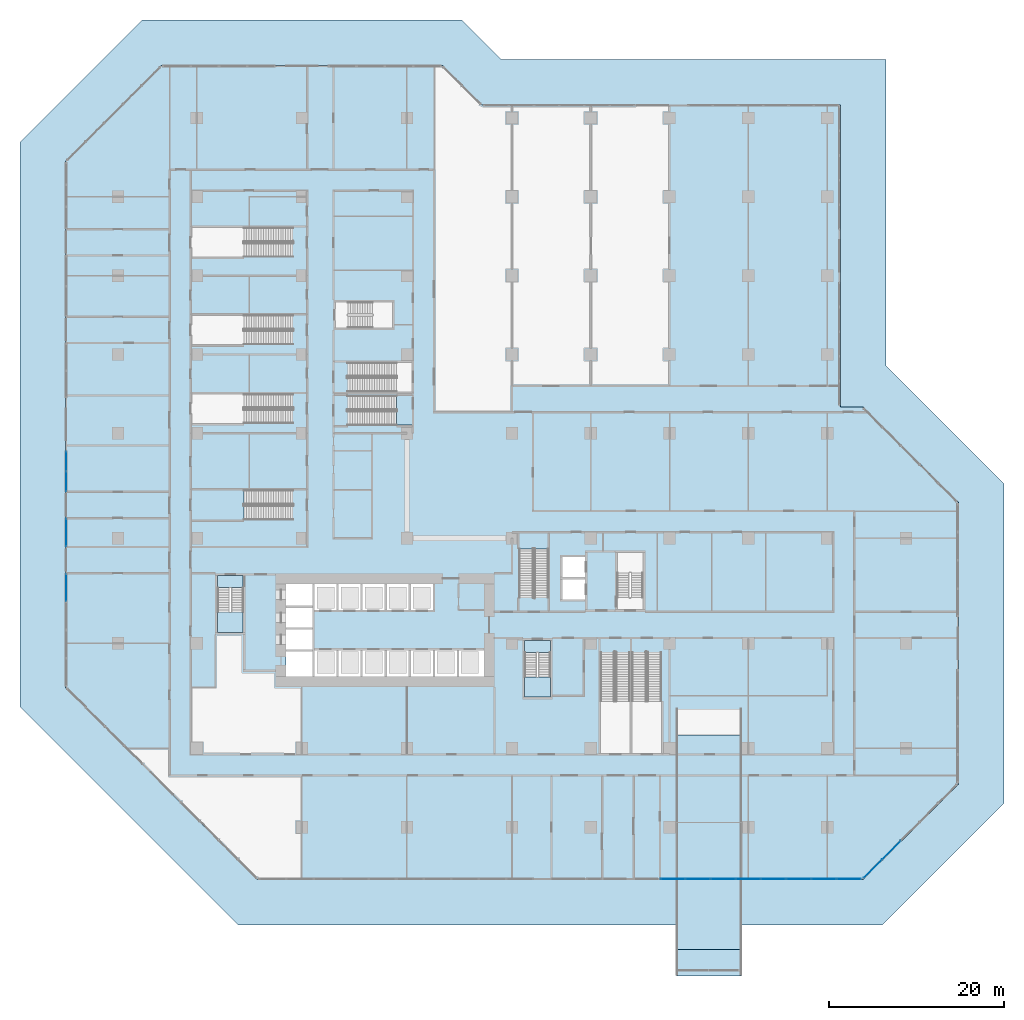
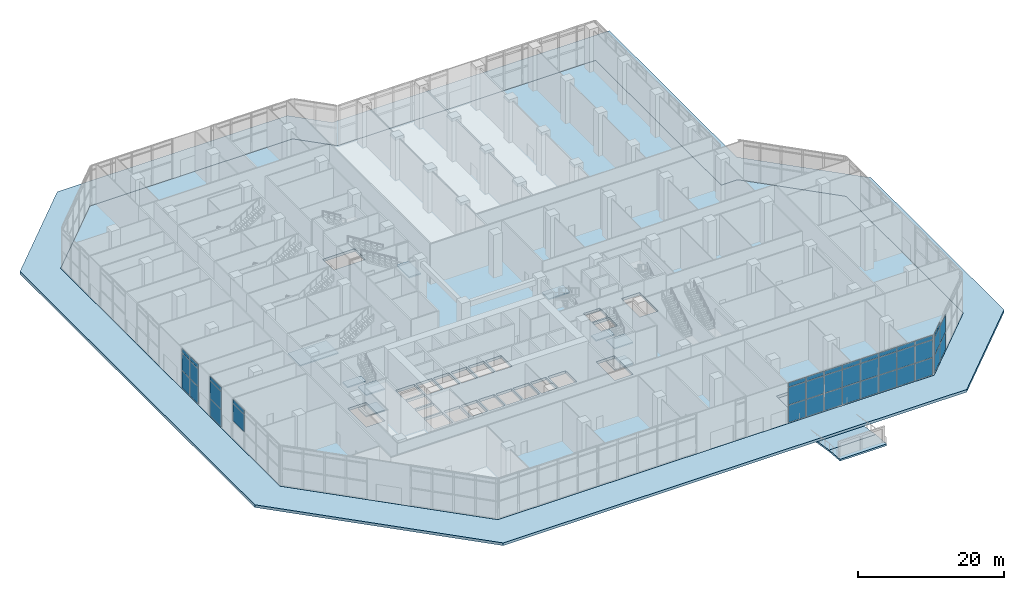
# One storey, part 13 of 34: 40 plates, 13 slabs, 10 elements without a shape of their own.
"""IFC4 building model written with IfcOpenShell, lengths in metres."""

import ifcopenshell
import ifcopenshell.guid

model = None  # the IFC model being written
_history = None  # IfcOwnerHistory: only IFC2X3 demands one
_inside = {}  # id of a spatial element -> (the spatial element, [elements in it])
_under = {}  # id of a project, library or spatial element -> (it, [spatial elements below it])
_declared = {}  # id of a project -> (the project, [libraries it declares])
_typed = {}  # id of a type object -> (the type object, [elements of that type])
_made_of = {}  # id of a material, layer set ... -> (it, [elements and type objects made of it])


def new_model(schema):
    """Start an empty IFC model of exactly this schema.

    Asked for "IFC4X3", IfcOpenShell would pick the latest addendum, in which some entities
    have other attributes; the version numbers below select the first issue.
    IFC2X3 requires an IfcOwnerHistory on every rooted entity: one is made here for all.
    """
    global model, _history
    if schema == "IFC4X3":
        model = ifcopenshell.file(schema_version=(4, 3, 0, 0))
    else:
        model = ifcopenshell.file(schema=schema)
    _inside.clear()
    _under.clear()
    _declared.clear()
    _typed.clear()
    _made_of.clear()
    _history = None
    if model.schema == "IFC2X3":
        org = make("IfcOrganization", Name="unknown")
        user = make(
            "IfcPersonAndOrganization",
            ThePerson=make("IfcPerson", FamilyName="unknown"),
            TheOrganization=org,
        )
        app = make(
            "IfcApplication",
            ApplicationDeveloper=org,
            Version="unknown",
            ApplicationFullName="unknown",
            ApplicationIdentifier="unknown",
        )
        _history = make(
            "IfcOwnerHistory",
            OwningUser=user,
            OwningApplication=app,
            ChangeAction="ADDED",
            CreationDate=0,
        )
    return model


def make(cls, **values):
    """One entity of the class cls with the attributes given. An attribute that is None is left unset."""
    return model.create_entity(
        cls, **{name: value for name, value in values.items() if value is not None}
    )


def rooted(cls, **values):
    """An entity with a GlobalId (a new one), such as an element, a storey or a relation."""
    return make(cls, GlobalId=ifcopenshell.guid.new(), OwnerHistory=_history, **values)


def si_unit(unit_type, name, prefix=None):
    """IfcSIUnit, for example si_unit("LENGTHUNIT", "METRE", prefix="MILLI")."""
    return make("IfcSIUnit", UnitType=unit_type, Prefix=prefix, Name=name)


def assignment(units):
    """IfcUnitAssignment: the units of a project."""
    return None if units is None else make("IfcUnitAssignment", Units=units)


def point(xyz):
    """IfcCartesianPoint."""
    return None if xyz is None else make("IfcCartesianPoint", Coordinates=xyz)


def direction(xyz):
    """IfcDirection."""
    return None if xyz is None else make("IfcDirection", DirectionRatios=xyz)


def frame(location, z_axis=None, x_axis=None):
    """IfcAxis2Placement3D, a coordinate frame: its origin and axes. An axis left out is left unset."""
    return make(
        "IfcAxis2Placement3D",
        Location=point(location),
        Axis=direction(z_axis),
        RefDirection=direction(x_axis),
    )


def frame_2d(location, x_axis=None):
    """IfcAxis2Placement2D, a coordinate frame in the plane: its origin and x axis."""
    return make(
        "IfcAxis2Placement2D", Location=point(location), RefDirection=direction(x_axis)
    )


def origin():
    """The frame at (0, 0, 0) with its axes left unset."""
    return frame((0.0, 0.0, 0.0))


def origin_2d():
    """The frame at (0, 0) in the plane with its x axis left unset."""
    return frame_2d((0.0, 0.0))


def place(relative_to, where):
    """IfcLocalPlacement: puts the frame where relative to a parent placement (None: the world)."""
    return make(
        "IfcLocalPlacement", PlacementRelTo=relative_to, RelativePlacement=where
    )


def context(
    kind, dimensions, precision=None, world=None, true_north=None, identifier=None
):
    """IfcGeometricRepresentationContext, for example the 3D "Model" context."""
    return make(
        "IfcGeometricRepresentationContext",
        ContextIdentifier=identifier,
        ContextType=kind,
        CoordinateSpaceDimension=dimensions,
        Precision=precision,
        WorldCoordinateSystem=world,
        TrueNorth=true_north,
    )


def subcontext(parent, identifier, kind, view, scale=None):
    """IfcGeometricRepresentationSubContext, for example "Body" below "Model"."""
    return make(
        "IfcGeometricRepresentationSubContext",
        ContextIdentifier=identifier,
        ContextType=kind,
        ParentContext=parent,
        TargetScale=scale,
        TargetView=view,
    )


def project(units=None, contexts=None):
    """IfcProject with its units and contexts."""
    return rooted(
        "IfcProject",
        Name="project",
        RepresentationContexts=contexts,
        UnitsInContext=assignment(units),
    )


def spatial(cls, under=None, at=None, **own):
    """A site, building, storey or space (cls), placed at a placement, below another one or the project."""
    s = rooted(cls, ObjectPlacement=at, **own)
    if under is not None:
        _under.setdefault(under.id(), (under, []))[1].append(s)
    return s


def polyline(points):
    """IfcPolyline through the points."""
    return make("IfcPolyline", Points=[point(p) for p in points])


def profile(cls, at=None, kind="AREA", **sizes):
    """A parametric profile (cls). Its sizes go by their IFC names, for example OverallWidth=200.0."""
    return make(cls, ProfileType=kind, Position=at, **sizes)


def rectangle(**sizes):
    """IfcRectangleProfileDef."""
    return profile("IfcRectangleProfileDef", **sizes)


def outline(outer, holes=None, kind="AREA"):
    """IfcArbitraryClosedProfileDef: a profile drawn as a closed curve; with holes, ...WithVoids."""
    if holes is None:
        return make("IfcArbitraryClosedProfileDef", ProfileType=kind, OuterCurve=outer)
    return make(
        "IfcArbitraryProfileDefWithVoids",
        ProfileType=kind,
        OuterCurve=outer,
        InnerCurves=holes,
    )


def extrude(swept, where, along, depth):
    """IfcExtrudedAreaSolid: the profile swept, set in the frame where, extruded along a direction by depth."""
    return make(
        "IfcExtrudedAreaSolid",
        SweptArea=swept,
        Position=where,
        ExtrudedDirection=direction(along),
        Depth=depth,
    )


def shape(context_of_items, identifier, shape_type, items):
    """IfcShapeRepresentation: the items that make up one representation, for example the "Body"."""
    return make(
        "IfcShapeRepresentation",
        ContextOfItems=context_of_items,
        RepresentationIdentifier=identifier,
        RepresentationType=shape_type,
        Items=items,
    )


def material(Name=None, Category=None):
    """IfcMaterial."""
    return make("IfcMaterial", Name=Name, Category=Category)


def layer(
    of_material, thickness, ventilated=None, Name=None, Category=None, Priority=None
):
    """IfcMaterialLayer: one layer of a wall or slab, of a material (None: an air gap)."""
    return make(
        "IfcMaterialLayer",
        Material=of_material,
        LayerThickness=thickness,
        IsVentilated=ventilated,
        Name=Name,
        Category=Category,
        Priority=Priority,
    )


def layer_set(layers, Name=None):
    """IfcMaterialLayerSet."""
    return make("IfcMaterialLayerSet", MaterialLayers=layers, LayerSetName=Name)


def made_of(thing, what):
    """Note that an element or type object is made of a material, layer set ...; save() writes the relation."""
    if what is not None:
        _made_of.setdefault(what.id(), (what, []))[1].append(thing)
    return thing


def type_object(cls, material=None, **own):
    """A type object (cls), such as IfcWallType, which elements share."""
    return made_of(rooted(cls, **own), material)


def element(
    cls,
    number,
    at=None,
    inside=None,
    cuts=None,
    type_object=None,
    material=None,
    context=None,
    identifier="Body",
    shape_type=None,
    held_by="IfcProductDefinitionShape",
    body=None,
    shapes=None,
    **own,
):
    """One element of the class cls, such as IfcWall. Its Tag is "e" and its number.

    at: its placement. inside: the storey or other place that contains it. cuts: it is an
    opening in that element (IfcRelVoidsElement). A single representation is given by context,
    identifier, shape_type and body (its items); several are given by shapes. held_by: the class
    of the entity that holds the representations. save() writes the other relations.
    """
    e = rooted(cls, Tag="e%d" % number, ObjectPlacement=at, **own)
    if body is not None:
        shapes = [shape(context, identifier, shape_type, body)]
    if shapes is not None:
        e.Representation = make(held_by, Representations=shapes)
    if inside is not None:
        _inside.setdefault(inside.id(), (inside, []))[1].append(e)
    if cuts is not None:
        rooted(
            "IfcRelVoidsElement", RelatingBuildingElement=cuts, RelatedOpeningElement=e
        )
    if type_object is not None:
        _typed.setdefault(type_object.id(), (type_object, []))[1].append(e)
    return made_of(e, material)


def aggregate(whole, parts):
    """IfcRelAggregates: a whole, such as a stair, and the parts it consists of."""
    return rooted("IfcRelAggregates", RelatingObject=whole, RelatedObjects=parts)


def save(model, path):
    """Write the relations noted so far, then the file.

    IfcRelAggregates (storeys below a building ...), IfcRelContainedInSpatialStructure (elements
    in a storey), IfcRelDefinesByType, IfcRelAssociatesMaterial and IfcRelDeclares: one each for
    every whole, place, type object, material and project.
    """
    for whole, parts in _under.values():
        aggregate(whole, parts)
    for where, things in _inside.values():
        rooted(
            "IfcRelContainedInSpatialStructure",
            RelatedElements=things,
            RelatingStructure=where,
        )
    for kind, things in _typed.values():
        rooted("IfcRelDefinesByType", RelatedObjects=things, RelatingType=kind)
    for what, things in _made_of.values():
        rooted("IfcRelAssociatesMaterial", RelatedObjects=things, RelatingMaterial=what)
    for by, libraries in _declared.values():
        rooted("IfcRelDeclares", RelatingContext=by, RelatedDefinitions=libraries)
    model.write(path)


model = new_model("IFC4")

# Units and contexts
model_context = context("Model", 3, precision=1e-05, world=origin(), true_north=direction((0.0, 1.0)))
body_context = subcontext(model_context, "Body", "Model", "MODEL_VIEW")
ifc_project = project(units=[si_unit("LENGTHUNIT", "METRE"), si_unit("AREAUNIT", "SQUARE_METRE"), si_unit("VOLUMEUNIT", "CUBIC_METRE"), si_unit("PLANEANGLEUNIT", "RADIAN"), si_unit("MASSUNIT", "GRAM", prefix="KILO")], contexts=[model_context])

# Site, building, storey
site_placement = place(None, origin())
site = spatial("IfcSite", under=ifc_project, at=site_placement, CompositionType="ELEMENT")
building_placement = place(site_placement, origin())
building = spatial("IfcBuilding", under=site, at=building_placement, Name="Chenar Terraces", CompositionType="ELEMENT")
storey_placement = place(building_placement, origin())
storey = spatial("IfcBuildingStorey", under=building, at=storey_placement, Name="L00", CompositionType="ELEMENT", Elevation=0.0)

# Slabs
ifc_material_1 = material(Name="Reinforced concrete C40/50", Category="concrete")
ifc_layer_1 = layer(ifc_material_1, 0.300048828125)
ifc_layer_set_1 = layer_set([ifc_layer_1], Name="Reinforced concrete C40/50")
slab_type_1 = type_object("IfcSlabType", Name="Car ramp slab 7500 x 300", PredefinedType="USERDEFINED", material=ifc_layer_set_1)
slab_1_placement = place(storey_placement, frame((54.800048828125, -25.989990234375, 0.0), z_axis=(0.0, 0.083045479854, 0.996545758245), x_axis=(0.0, 0.996545758245, -0.083045479854)))
element("IfcSlab", 1, at=slab_1_placement, inside=storey, type_object=slab_type_1, Name="R1 vehicle ramp slab 1 (top)", ObjectType="Vehicle ramp slab", PredefinedType="USERDEFINED", context=body_context, shape_type="SweptSolid", body=[
    extrude(outline(polyline([(0.0, 0.0), (3.010398644698074, 0.0), (3.010398644698074, -7.39990234375), (0.0, -7.39990234375), (0.0, 0.0)])), origin(), (0.083045479854, 0.0, -0.996545758245), 0.301025390625),
])
slab_2_placement = place(storey_placement, frame((54.800048828125, -22.989990234375, -0.25), z_axis=(0.0, 0.161196047201, 0.986922405444), x_axis=(0.0, 0.986922405444, -0.161196047201)))
element("IfcSlab", 2, at=slab_2_placement, inside=storey, type_object=slab_type_1, Name="R1 vehicle ramp slab 2 (main)", ObjectType="Vehicle ramp slab", PredefinedType="USERDEFINED", context=body_context, shape_type="SweptSolid", body=[
    extrude(outline(polyline([(0.0, 0.0), (24.814504260206025, 0.0), (24.814504260206025, -7.39990234375), (0.0, -7.39990234375), (0.0, 0.0)])), origin(), (0.161196047201, 0.0, -0.986922405444), 0.303955078125),
])

# Stair, slabs
ifc_material_2 = material(Name="Reinforced concrete C40/50", Category="concrete")
stair_type = type_object("IfcStairType", Name="Core stair 1400 half-turn", PredefinedType="HALF_TURN_STAIR", material=ifc_material_2)
placement_1 = place(storey_placement, origin())
stair_1 = element("IfcStair", 3, at=placement_1, inside=storey, type_object=stair_type, Name="L00 Stair 1", PredefinedType="HALF_TURN_STAIR")
ifc_material_3 = material(Name="Reinforced concrete C40/50", Category="concrete")
ifc_layer_2 = layer(ifc_material_3, 0.199951171875)
ifc_layer_set_2 = layer_set([ifc_layer_2], Name="Reinforced concrete C40/50")
slab_type_2 = type_object("IfcSlabType", Name="Core stair landing 200", PredefinedType="LANDING", material=ifc_layer_set_2)
placement_2 = place(storey_placement, frame((0.0, 0.0, 1.60009765625)))
slab_3 = element("IfcSlab", 4, at=placement_2, type_object=slab_type_2, Name="ST1 landing 1", PredefinedType="LANDING", context=body_context, shape_type="SweptSolid", body=[
    extrude(outline(polyline([(2.35009765625, 15.550048828125), (2.35009765625, 13.25), (5.300048828125, 13.25), (5.300048828125, 15.550048828125), (2.35009765625, 15.550048828125)])), origin(), (0.0, 0.0, 1.0), 0.199951171875),
])
placement_3 = place(storey_placement, frame((0.0, 0.0, 3.39990234375)))
slab_4 = element("IfcSlab", 5, at=placement_3, type_object=slab_type_2, Name="ST1 landing 2", PredefinedType="LANDING", context=body_context, shape_type="SweptSolid", body=[
    extrude(outline(polyline([(2.35009765625, 19.75), (2.35009765625, 18.35009765625), (5.300048828125, 18.35009765625), (5.300048828125, 19.75), (2.35009765625, 19.75)])), origin(), (0.0, 0.0, 1.0), 0.2001953125),
])
placement_4 = place(storey_placement, frame((0.0, 0.0, 5.199951171875)))
slab_5 = element("IfcSlab", 6, at=placement_4, type_object=slab_type_2, Name="ST1 landing 3", PredefinedType="LANDING", context=body_context, shape_type="SweptSolid", body=[
    extrude(outline(polyline([(2.35009765625, 15.550048828125), (2.35009765625, 13.25), (5.300048828125, 13.25), (5.300048828125, 15.550048828125), (2.35009765625, 15.550048828125)])), origin(), (0.0, 0.0, 1.0), 0.199951171875),
])
aggregate(stair_1, [slab_3, slab_4, slab_5])

stair_2 = element("IfcStair", 7, at=placement_1, inside=storey, type_object=stair_type, Name="L00 Stair 2", PredefinedType="HALF_TURN_STAIR")
slab_6 = element("IfcSlab", 8, at=placement_2, type_object=slab_type_2, Name="ST2 landing 1", PredefinedType="LANDING", context=body_context, shape_type="SweptSolid", body=[
    extrude(outline(polyline([(37.449951171875, 8.14990234375), (37.449951171875, 5.85009765625), (40.39990234375, 5.85009765625), (40.39990234375, 8.14990234375), (37.449951171875, 8.14990234375)])), origin(), (0.0, 0.0, 1.0), 0.199951171875),
])
slab_7 = element("IfcSlab", 9, at=placement_3, type_object=slab_type_2, Name="ST2 landing 2", PredefinedType="LANDING", context=body_context, shape_type="SweptSolid", body=[
    extrude(outline(polyline([(37.449951171875, 12.35009765625), (37.449951171875, 10.949951171875), (40.39990234375, 10.949951171875), (40.39990234375, 12.35009765625), (37.449951171875, 12.35009765625)])), origin(), (0.0, 0.0, 1.0), 0.2001953125),
])
slab_8 = element("IfcSlab", 10, at=placement_4, type_object=slab_type_2, Name="ST2 landing 3", PredefinedType="LANDING", context=body_context, shape_type="SweptSolid", body=[
    extrude(outline(polyline([(37.449951171875, 8.14990234375), (37.449951171875, 5.85009765625), (40.39990234375, 5.85009765625), (40.39990234375, 8.14990234375), (37.449951171875, 8.14990234375)])), origin(), (0.0, 0.0, 1.0), 0.199951171875),
])
aggregate(stair_2, [slab_6, slab_7, slab_8])

# Stair, slab
stair_3 = element("IfcStair", 11, at=placement_1, inside=storey, type_object=stair_type, Name="L00 Exit stair PS1", PredefinedType="HALF_TURN_STAIR")
slab_9 = element("IfcSlab", 12, at=placement_3, type_object=slab_type_2, Name="PS1 landing 1", PredefinedType="LANDING", context=body_context, shape_type="SweptSolid", body=[
    extrude(outline(polyline([(40.175048828125, 22.800048828125), (40.175048828125, 24.699951171875), (36.824951171875, 24.699951171875), (36.824951171875, 22.800048828125), (40.175048828125, 22.800048828125)])), origin(), (0.0, 0.0, 1.0), 0.2001953125),
])
aggregate(stair_3, [slab_9])

stair_4 = element("IfcStair", 13, at=placement_1, inside=storey, type_object=stair_type, Name="L00 Exit stair PS5", PredefinedType="HALF_TURN_STAIR")
slab_10 = element("IfcSlab", 14, at=placement_3, type_object=slab_type_2, Name="PS5 landing 1", PredefinedType="LANDING", context=body_context, shape_type="SweptSolid", body=[
    extrude(outline(polyline([(5.385009765625, 29.489990234375), (-0.699951171875, 29.489990234375), (-0.699951171875, 26.110107421875), (5.385009765625, 26.110107421875), (5.385009765625, 29.489990234375)])), origin(), (0.0, 0.0, 1.0), 0.2001953125),
])
aggregate(stair_4, [slab_10])

stair_5 = element("IfcStair", 15, at=placement_1, inside=storey, type_object=stair_type, Name="L00 Exit stair PS7", PredefinedType="HALF_TURN_STAIR")
slab_11 = element("IfcSlab", 16, at=placement_3, type_object=slab_type_2, Name="PS7 landing 1", PredefinedType="LANDING", context=body_context, shape_type="SweptSolid", body=[
    extrude(outline(polyline([(22.81494140625, 36.909912109375), (24.699951171875, 36.909912109375), (24.699951171875, 40.2900390625), (22.81494140625, 40.2900390625), (22.81494140625, 36.909912109375)])), origin(), (0.0, 0.0, 1.0), 0.2001953125),
])
aggregate(stair_5, [slab_11])

# Slab
ifc_material_4 = material(Name="Concrete C40/50", Category="concrete")
ifc_layer_3 = layer(ifc_material_4, 0.449951171875)
ifc_layer_set_3 = layer_set([ifc_layer_3], Name="Concrete C40/50")
slab_type_3 = type_object("IfcSlabType", Name="Floor slab 450 Concrete C40/50", PredefinedType="FLOOR", material=ifc_layer_set_3)
placement_5 = place(storey_placement, frame((0.0, 0.0, -0.449951171875)))
element("IfcSlab", 17, at=placement_5, inside=storey, type_object=slab_type_3, Name="Floor slab L00", PredefinedType="FLOOR", context=body_context, shape_type="SweptSolid", body=[
    extrude(outline(polyline([(73.5, 73.5), (73.5, 39.0), (76.091796875, 39.0), (87.0, 28.091796875), (87.0, -4.091796875), (76.091796875, -15.0), (62.199951171875, -15.0), (62.199951171875, -8.5), (54.800048828125, -8.5), (54.800048828125, -15.0), (6.908203125, -15.0), (-15.0, 6.908203125), (-15.0, 67.091796875), (-4.091796875, 78.0), (28.091796875, 78.0), (32.591796875, 73.5), (73.5, 73.5)]), holes=[polyline([(13.199951171875, 11.050048828125), (10.199951171875, 11.050048828125), (10.199951171875, 8.199951171875), (13.199951171875, 8.199951171875), (13.199951171875, 11.050048828125)]), polyline([(15.949951171875, 11.199951171875), (13.449951171875, 11.199951171875), (13.449951171875, 8.199951171875), (15.949951171875, 8.199951171875), (15.949951171875, 11.199951171875)]), polyline([(18.699951171875, 11.199951171875), (16.199951171875, 11.199951171875), (16.199951171875, 8.199951171875), (18.699951171875, 8.199951171875), (18.699951171875, 11.199951171875)]), polyline([(21.449951171875, 8.199951171875), (21.449951171875, 11.199951171875), (18.949951171875, 11.199951171875), (18.949951171875, 8.199951171875), (21.449951171875, 8.199951171875)]), polyline([(13.199951171875, 11.300048828125), (13.199951171875, 13.550048828125), (10.199951171875, 13.550048828125), (10.199951171875, 11.300048828125), (13.199951171875, 11.300048828125)]), polyline([(13.199951171875, 16.050048828125), (10.199951171875, 16.050048828125), (10.199951171875, 13.800048828125), (13.199951171875, 13.800048828125), (13.199951171875, 16.050048828125)]), polyline([(2.35009765625, 18.35009765625), (2.35009765625, 13.25), (5.300048828125, 13.25), (5.300048828125, 18.35009765625), (2.35009765625, 18.35009765625)]), polyline([(15.949951171875, 15.800048828125), (15.949951171875, 18.800048828125), (13.449951171875, 18.800048828125), (13.449951171875, 15.800048828125), (15.949951171875, 15.800048828125)]), polyline([(18.699951171875, 18.800048828125), (16.199951171875, 18.800048828125), (16.199951171875, 15.800048828125), (18.699951171875, 15.800048828125), (18.699951171875, 18.800048828125)]), polyline([(21.449951171875, 15.800048828125), (21.449951171875, 18.800048828125), (18.949951171875, 18.800048828125), (18.949951171875, 15.800048828125), (21.449951171875, 15.800048828125)]), polyline([(13.199951171875, 16.300048828125), (13.199951171875, 18.800048828125), (10.199951171875, 18.800048828125), (10.199951171875, 16.300048828125), (13.199951171875, 16.300048828125)]), polyline([(22.35009765625, 48.02490234375), (22.35009765625, 50.97509765625), (17.25, 50.97509765625), (17.25, 48.02490234375), (22.35009765625, 48.02490234375)]), polyline([(37.449951171875, 10.949951171875), (37.449951171875, 5.85009765625), (40.39990234375, 5.85009765625), (40.39990234375, 10.949951171875), (37.449951171875, 10.949951171875)]), polyline([(24.199951171875, 11.199951171875), (21.699951171875, 11.199951171875), (21.699951171875, 8.199951171875), (24.199951171875, 8.199951171875), (24.199951171875, 11.199951171875)]), polyline([(26.949951171875, 8.199951171875), (26.949951171875, 11.199951171875), (24.449951171875, 11.199951171875), (24.449951171875, 8.199951171875), (26.949951171875, 8.199951171875)]), polyline([(29.699951171875, 8.199951171875), (29.699951171875, 11.199951171875), (27.199951171875, 11.199951171875), (27.199951171875, 8.199951171875), (29.699951171875, 8.199951171875)]), polyline([(32.800048828125, 11.199951171875), (29.949951171875, 11.199951171875), (29.949951171875, 8.199951171875), (32.800048828125, 8.199951171875), (32.800048828125, 11.199951171875)]), polyline([(24.199951171875, 15.800048828125), (24.199951171875, 18.800048828125), (21.699951171875, 18.800048828125), (21.699951171875, 15.800048828125), (24.199951171875, 15.800048828125)]), polyline([(26.949951171875, 15.800048828125), (26.949951171875, 18.800048828125), (24.449951171875, 18.800048828125), (24.449951171875, 15.800048828125), (26.949951171875, 15.800048828125)]), polyline([(44.35009765625, 19.300048828125), (41.75, 19.300048828125), (41.75, 17.0), (44.35009765625, 17.0), (44.35009765625, 19.300048828125)]), polyline([(50.97509765625, 17.25), (50.97509765625, 22.35009765625), (48.02490234375, 22.35009765625), (48.02490234375, 17.25), (50.97509765625, 17.25)]), polyline([(44.35009765625, 19.550048828125), (44.35009765625, 21.85009765625), (41.75, 21.85009765625), (41.75, 19.550048828125), (44.35009765625, 19.550048828125)])]), origin(), (0.0, 0.0, 1.0), 0.449951171875),
])

# Curtain wall, plates
ifc_material_5 = material(Name="Aluminium framed glazing", Category="aluminium")
ifc_layer_4 = layer(ifc_material_5, 0.14990234375)
ifc_layer_set_4 = layer_set([ifc_layer_4], Name="Aluminium framed glazing")
curtain_wall_type = type_object("IfcCurtainWallType", Name="Lobby curtain wall", PredefinedType="NOTDEFINED", material=ifc_layer_set_4)
curtain_wall_1 = element("IfcCurtainWall", 18, at=placement_1, inside=storey, type_object=curtain_wall_type, Name="Lobby curtain wall", PredefinedType="NOTDEFINED")
ifc_material_6 = material(Name="Low emissivity laminated glass, solar control coating", Category="glass")
ifc_layer_5 = layer(ifc_material_6, 0.035888671875)
ifc_layer_set_5 = layer_set([ifc_layer_5], Name="Low emissivity laminated glass, solar control coating")
plate_type = type_object("IfcPlateType", Name="Lobby glazing panel 36", PredefinedType="CURTAIN_PANEL", material=ifc_layer_set_5)
plate_1_placement = place(storey_placement, frame((-14.925048828125, 32.798828125, 0.080078125), z_axis=(0.0, 0.0, 1.0), x_axis=(0.0, -1.0, 0.0)))
plate_1 = element("IfcPlate", 19, at=plate_1_placement, type_object=plate_type, Name="CW6-04p40 panel 1.1", PredefinedType="CURTAIN_PANEL", context=body_context, shape_type="SweptSolid", body=[
    extrude(rectangle(XDim=2.217529296875, YDim=0.035888671875, at=origin_2d()), origin(), (0.0, 0.0, 1.0), 2.8798828125),
])
plate_2_placement = place(storey_placement, frame((-14.925048828125, 32.798828125, 3.0400390625), z_axis=(0.0, 0.0, 1.0), x_axis=(0.0, -1.0, 0.0)))
plate_2 = element("IfcPlate", 20, at=plate_2_placement, type_object=plate_type, Name="CW6-04p40 panel 1.2", PredefinedType="CURTAIN_PANEL", context=body_context, shape_type="SweptSolid", body=[
    extrude(rectangle(XDim=2.217529296875, YDim=0.035888671875, at=origin_2d()), origin(), (0.0, 0.0, 1.0), 2.919921875),
])
plate_3_placement = place(storey_placement, frame((-14.925048828125, 32.798828125, 6.0400390625), z_axis=(0.0, 0.0, 1.0), x_axis=(0.0, -1.0, 0.0)))
plate_3 = element("IfcPlate", 21, at=plate_3_placement, type_object=plate_type, Name="CW6-04p40 panel 1.3", PredefinedType="CURTAIN_PANEL", context=body_context, shape_type="SweptSolid", body=[
    extrude(rectangle(XDim=2.217529296875, YDim=0.035888671875, at=origin_2d()), origin(), (0.0, 0.0, 1.0), 0.679931640625),
])
plate_4_placement = place(storey_placement, frame((-14.925048828125, 30.501220703125, 0.080078125), z_axis=(0.0, 0.0, 1.0), x_axis=(0.0, -1.0, 0.0)))
plate_4 = element("IfcPlate", 22, at=plate_4_placement, type_object=plate_type, Name="CW6-04p40 panel 2.1", PredefinedType="CURTAIN_PANEL", context=body_context, shape_type="SweptSolid", body=[
    extrude(rectangle(XDim=2.217529296875, YDim=0.035888671875, at=origin_2d()), origin(), (0.0, 0.0, 1.0), 2.8798828125),
])
plate_5_placement = place(storey_placement, frame((-14.925048828125, 30.501220703125, 3.0400390625), z_axis=(0.0, 0.0, 1.0), x_axis=(0.0, -1.0, 0.0)))
plate_5 = element("IfcPlate", 23, at=plate_5_placement, type_object=plate_type, Name="CW6-04p40 panel 2.2", PredefinedType="CURTAIN_PANEL", context=body_context, shape_type="SweptSolid", body=[
    extrude(rectangle(XDim=2.217529296875, YDim=0.035888671875, at=origin_2d()), origin(), (0.0, 0.0, 1.0), 2.919921875),
])
plate_6_placement = place(storey_placement, frame((-14.925048828125, 30.501220703125, 6.0400390625), z_axis=(0.0, 0.0, 1.0), x_axis=(0.0, -1.0, 0.0)))
plate_6 = element("IfcPlate", 24, at=plate_6_placement, type_object=plate_type, Name="CW6-04p40 panel 2.3", PredefinedType="CURTAIN_PANEL", context=body_context, shape_type="SweptSolid", body=[
    extrude(rectangle(XDim=2.217529296875, YDim=0.035888671875, at=origin_2d()), origin(), (0.0, 0.0, 1.0), 0.679931640625),
])
aggregate(curtain_wall_1, [plate_1, plate_2, plate_3, plate_4, plate_5, plate_6])

curtain_wall_2 = element("IfcCurtainWall", 25, at=placement_1, inside=storey, type_object=curtain_wall_type, Name="Lobby curtain wall", PredefinedType="NOTDEFINED")
plate_7_placement = place(storey_placement, frame((-14.925048828125, 24.64990234375, 0.080078125), z_axis=(0.0, 0.0, 1.0), x_axis=(0.0, -1.0, 0.0)))
plate_7 = element("IfcPlate", 26, at=plate_7_placement, type_object=plate_type, Name="CW6-04p50 panel 1.1", PredefinedType="CURTAIN_PANEL", context=body_context, shape_type="SweptSolid", body=[
    extrude(rectangle(XDim=3.114990234375, YDim=0.035888671875, at=origin_2d()), origin(), (0.0, 0.0, 1.0), 2.8798828125),
])
plate_8_placement = place(storey_placement, frame((-14.925048828125, 24.64990234375, 3.0400390625), z_axis=(0.0, 0.0, 1.0), x_axis=(0.0, -1.0, 0.0)))
plate_8 = element("IfcPlate", 27, at=plate_8_placement, type_object=plate_type, Name="CW6-04p50 panel 1.2", PredefinedType="CURTAIN_PANEL", context=body_context, shape_type="SweptSolid", body=[
    extrude(rectangle(XDim=3.114990234375, YDim=0.035888671875, at=origin_2d()), origin(), (0.0, 0.0, 1.0), 2.919921875),
])
plate_9_placement = place(storey_placement, frame((-14.925048828125, 24.64990234375, 6.0400390625), z_axis=(0.0, 0.0, 1.0), x_axis=(0.0, -1.0, 0.0)))
plate_9 = element("IfcPlate", 28, at=plate_9_placement, type_object=plate_type, Name="CW6-04p50 panel 1.3", PredefinedType="CURTAIN_PANEL", context=body_context, shape_type="SweptSolid", body=[
    extrude(rectangle(XDim=3.114990234375, YDim=0.035888671875, at=origin_2d()), origin(), (0.0, 0.0, 1.0), 0.679931640625),
])
aggregate(curtain_wall_2, [plate_7, plate_8, plate_9])

curtain_wall_3 = element("IfcCurtainWall", 29, at=placement_1, inside=storey, type_object=curtain_wall_type, Name="Lobby curtain wall", PredefinedType="NOTDEFINED")
plate_10_placement = place(storey_placement, frame((-14.925048828125, 18.351318359375, 3.0400390625), z_axis=(0.0, 0.0, 1.0), x_axis=(0.0, -1.0, 0.0)))
plate_10 = element("IfcPlate", 30, at=plate_10_placement, type_object=plate_type, Name="CW6-04p60 panel 1.2", PredefinedType="CURTAIN_PANEL", context=body_context, shape_type="SweptSolid", body=[
    extrude(rectangle(XDim=3.1123046875, YDim=0.035888671875, at=origin_2d()), origin(), (0.0, 0.0, 1.0), 2.919921875),
])
plate_11_placement = place(storey_placement, frame((-14.925048828125, 18.351318359375, 6.0400390625), z_axis=(0.0, 0.0, 1.0), x_axis=(0.0, -1.0, 0.0)))
plate_11 = element("IfcPlate", 31, at=plate_11_placement, type_object=plate_type, Name="CW6-04p60 panel 1.3", PredefinedType="CURTAIN_PANEL", context=body_context, shape_type="SweptSolid", body=[
    extrude(rectangle(XDim=3.1123046875, YDim=0.035888671875, at=origin_2d()), origin(), (0.0, 0.0, 1.0), 0.679931640625),
])
aggregate(curtain_wall_3, [plate_10, plate_11])

curtain_wall_4 = element("IfcCurtainWall", 32, at=placement_1, inside=storey, type_object=curtain_wall_type, Name="Lobby curtain wall", PredefinedType="NOTDEFINED")
plate_12_placement = place(storey_placement, frame((54.371826171875, -14.925048828125, 0.080078125), z_axis=(0.0, 0.0, 1.0), x_axis=(1.0, 0.0, 0.0)))
plate_12 = element("IfcPlate", 33, at=plate_12_placement, type_object=plate_type, Name="CW6-06p30 panel 1.1", PredefinedType="CURTAIN_PANEL", context=body_context, shape_type="SweptSolid", body=[
    extrude(rectangle(XDim=2.7587890625, YDim=0.035888671875, at=origin_2d()), origin(), (0.0, 0.0, 1.0), 2.8798828125),
])
plate_13_placement = place(storey_placement, frame((54.371826171875, -14.925048828125, 3.0400390625), z_axis=(0.0, 0.0, 1.0), x_axis=(1.0, 0.0, 0.0)))
plate_13 = element("IfcPlate", 34, at=plate_13_placement, type_object=plate_type, Name="CW6-06p30 panel 1.2", PredefinedType="CURTAIN_PANEL", context=body_context, shape_type="SweptSolid", body=[
    extrude(rectangle(XDim=2.7587890625, YDim=0.035888671875, at=origin_2d()), origin(), (0.0, 0.0, 1.0), 2.919921875),
])
plate_14_placement = place(storey_placement, frame((54.371826171875, -14.925048828125, 6.0400390625), z_axis=(0.0, 0.0, 1.0), x_axis=(1.0, 0.0, 0.0)))
plate_14 = element("IfcPlate", 35, at=plate_14_placement, type_object=plate_type, Name="CW6-06p30 panel 1.3", PredefinedType="CURTAIN_PANEL", context=body_context, shape_type="SweptSolid", body=[
    extrude(rectangle(XDim=2.7587890625, YDim=0.035888671875, at=origin_2d()), origin(), (0.0, 0.0, 1.0), 0.679931640625),
])
plate_15_placement = place(storey_placement, frame((57.23046875, -14.925048828125, 0.080078125), z_axis=(0.0, 0.0, 1.0), x_axis=(1.0, 0.0, 0.0)))
plate_15 = element("IfcPlate", 36, at=plate_15_placement, type_object=plate_type, Name="CW6-06p30 panel 2.1", PredefinedType="CURTAIN_PANEL", context=body_context, shape_type="SweptSolid", body=[
    extrude(rectangle(XDim=2.798583984375, YDim=0.035888671875, at=origin_2d()), origin(), (0.0, 0.0, 1.0), 2.8798828125),
])
plate_16_placement = place(storey_placement, frame((57.23046875, -14.925048828125, 3.0400390625), z_axis=(0.0, 0.0, 1.0), x_axis=(1.0, 0.0, 0.0)))
plate_16 = element("IfcPlate", 37, at=plate_16_placement, type_object=plate_type, Name="CW6-06p30 panel 2.2", PredefinedType="CURTAIN_PANEL", context=body_context, shape_type="SweptSolid", body=[
    extrude(rectangle(XDim=2.798583984375, YDim=0.035888671875, at=origin_2d()), origin(), (0.0, 0.0, 1.0), 2.919921875),
])
plate_17_placement = place(storey_placement, frame((57.23046875, -14.925048828125, 6.0400390625), z_axis=(0.0, 0.0, 1.0), x_axis=(1.0, 0.0, 0.0)))
plate_17 = element("IfcPlate", 38, at=plate_17_placement, type_object=plate_type, Name="CW6-06p30 panel 2.3", PredefinedType="CURTAIN_PANEL", context=body_context, shape_type="SweptSolid", body=[
    extrude(rectangle(XDim=2.798583984375, YDim=0.035888671875, at=origin_2d()), origin(), (0.0, 0.0, 1.0), 0.679931640625),
])
plate_18_placement = place(storey_placement, frame((60.109130859375, -14.925048828125, 0.080078125), z_axis=(0.0, 0.0, 1.0), x_axis=(1.0, 0.0, 0.0)))
plate_18 = element("IfcPlate", 39, at=plate_18_placement, type_object=plate_type, Name="CW6-06p30 panel 3.1", PredefinedType="CURTAIN_PANEL", context=body_context, shape_type="SweptSolid", body=[
    extrude(rectangle(XDim=2.798583984375, YDim=0.035888671875, at=origin_2d()), origin(), (0.0, 0.0, 1.0), 2.8798828125),
])
plate_19_placement = place(storey_placement, frame((60.109130859375, -14.925048828125, 3.0400390625), z_axis=(0.0, 0.0, 1.0), x_axis=(1.0, 0.0, 0.0)))
plate_19 = element("IfcPlate", 40, at=plate_19_placement, type_object=plate_type, Name="CW6-06p30 panel 3.2", PredefinedType="CURTAIN_PANEL", context=body_context, shape_type="SweptSolid", body=[
    extrude(rectangle(XDim=2.798583984375, YDim=0.035888671875, at=origin_2d()), origin(), (0.0, 0.0, 1.0), 2.919921875),
])
plate_20_placement = place(storey_placement, frame((60.109130859375, -14.925048828125, 6.0400390625), z_axis=(0.0, 0.0, 1.0), x_axis=(1.0, 0.0, 0.0)))
plate_20 = element("IfcPlate", 41, at=plate_20_placement, type_object=plate_type, Name="CW6-06p30 panel 3.3", PredefinedType="CURTAIN_PANEL", context=body_context, shape_type="SweptSolid", body=[
    extrude(rectangle(XDim=2.798583984375, YDim=0.035888671875, at=origin_2d()), origin(), (0.0, 0.0, 1.0), 0.679931640625),
])
plate_21_placement = place(storey_placement, frame((62.98779296875, -14.925048828125, 0.080078125), z_axis=(0.0, 0.0, 1.0), x_axis=(1.0, 0.0, 0.0)))
plate_21 = element("IfcPlate", 42, at=plate_21_placement, type_object=plate_type, Name="CW6-06p30 panel 4.1", PredefinedType="CURTAIN_PANEL", context=body_context, shape_type="SweptSolid", body=[
    extrude(rectangle(XDim=2.798583984375, YDim=0.035888671875, at=origin_2d()), origin(), (0.0, 0.0, 1.0), 2.8798828125),
])
plate_22_placement = place(storey_placement, frame((62.98779296875, -14.925048828125, 3.0400390625), z_axis=(0.0, 0.0, 1.0), x_axis=(1.0, 0.0, 0.0)))
plate_22 = element("IfcPlate", 43, at=plate_22_placement, type_object=plate_type, Name="CW6-06p30 panel 4.2", PredefinedType="CURTAIN_PANEL", context=body_context, shape_type="SweptSolid", body=[
    extrude(rectangle(XDim=2.798583984375, YDim=0.035888671875, at=origin_2d()), origin(), (0.0, 0.0, 1.0), 2.919921875),
])
plate_23_placement = place(storey_placement, frame((62.98779296875, -14.925048828125, 6.0400390625), z_axis=(0.0, 0.0, 1.0), x_axis=(1.0, 0.0, 0.0)))
plate_23 = element("IfcPlate", 44, at=plate_23_placement, type_object=plate_type, Name="CW6-06p30 panel 4.3", PredefinedType="CURTAIN_PANEL", context=body_context, shape_type="SweptSolid", body=[
    extrude(rectangle(XDim=2.798583984375, YDim=0.035888671875, at=origin_2d()), origin(), (0.0, 0.0, 1.0), 0.679931640625),
])
plate_24_placement = place(storey_placement, frame((65.866455078125, -14.925048828125, 0.080078125), z_axis=(0.0, 0.0, 1.0), x_axis=(1.0, 0.0, 0.0)))
plate_24 = element("IfcPlate", 45, at=plate_24_placement, type_object=plate_type, Name="CW6-06p30 panel 5.1", PredefinedType="CURTAIN_PANEL", context=body_context, shape_type="SweptSolid", body=[
    extrude(rectangle(XDim=2.798583984375, YDim=0.035888671875, at=origin_2d()), origin(), (0.0, 0.0, 1.0), 2.8798828125),
])
plate_25_placement = place(storey_placement, frame((65.866455078125, -14.925048828125, 3.0400390625), z_axis=(0.0, 0.0, 1.0), x_axis=(1.0, 0.0, 0.0)))
plate_25 = element("IfcPlate", 46, at=plate_25_placement, type_object=plate_type, Name="CW6-06p30 panel 5.2", PredefinedType="CURTAIN_PANEL", context=body_context, shape_type="SweptSolid", body=[
    extrude(rectangle(XDim=2.798583984375, YDim=0.035888671875, at=origin_2d()), origin(), (0.0, 0.0, 1.0), 2.919921875),
])
plate_26_placement = place(storey_placement, frame((65.866455078125, -14.925048828125, 6.0400390625), z_axis=(0.0, 0.0, 1.0), x_axis=(1.0, 0.0, 0.0)))
plate_26 = element("IfcPlate", 47, at=plate_26_placement, type_object=plate_type, Name="CW6-06p30 panel 5.3", PredefinedType="CURTAIN_PANEL", context=body_context, shape_type="SweptSolid", body=[
    extrude(rectangle(XDim=2.798583984375, YDim=0.035888671875, at=origin_2d()), origin(), (0.0, 0.0, 1.0), 0.679931640625),
])
plate_27_placement = place(storey_placement, frame((68.7451171875, -14.925048828125, 0.080078125), z_axis=(0.0, 0.0, 1.0), x_axis=(1.0, 0.0, 0.0)))
plate_27 = element("IfcPlate", 48, at=plate_27_placement, type_object=plate_type, Name="CW6-06p30 panel 6.1", PredefinedType="CURTAIN_PANEL", context=body_context, shape_type="SweptSolid", body=[
    extrude(rectangle(XDim=2.798583984375, YDim=0.035888671875, at=origin_2d()), origin(), (0.0, 0.0, 1.0), 2.8798828125),
])
plate_28_placement = place(storey_placement, frame((68.7451171875, -14.925048828125, 3.0400390625), z_axis=(0.0, 0.0, 1.0), x_axis=(1.0, 0.0, 0.0)))
plate_28 = element("IfcPlate", 49, at=plate_28_placement, type_object=plate_type, Name="CW6-06p30 panel 6.2", PredefinedType="CURTAIN_PANEL", context=body_context, shape_type="SweptSolid", body=[
    extrude(rectangle(XDim=2.798583984375, YDim=0.035888671875, at=origin_2d()), origin(), (0.0, 0.0, 1.0), 2.919921875),
])
plate_29_placement = place(storey_placement, frame((68.7451171875, -14.925048828125, 6.0400390625), z_axis=(0.0, 0.0, 1.0), x_axis=(1.0, 0.0, 0.0)))
plate_29 = element("IfcPlate", 50, at=plate_29_placement, type_object=plate_type, Name="CW6-06p30 panel 6.3", PredefinedType="CURTAIN_PANEL", context=body_context, shape_type="SweptSolid", body=[
    extrude(rectangle(XDim=2.798583984375, YDim=0.035888671875, at=origin_2d()), origin(), (0.0, 0.0, 1.0), 0.679931640625),
])
plate_30_placement = place(storey_placement, frame((71.623779296875, -14.925048828125, 0.080078125), z_axis=(0.0, 0.0, 1.0), x_axis=(1.0, 0.0, 0.0)))
plate_30 = element("IfcPlate", 51, at=plate_30_placement, type_object=plate_type, Name="CW6-06p30 panel 7.1", PredefinedType="CURTAIN_PANEL", context=body_context, shape_type="SweptSolid", body=[
    extrude(rectangle(XDim=2.798583984375, YDim=0.035888671875, at=origin_2d()), origin(), (0.0, 0.0, 1.0), 2.8798828125),
])
plate_31_placement = place(storey_placement, frame((71.623779296875, -14.925048828125, 3.0400390625), z_axis=(0.0, 0.0, 1.0), x_axis=(1.0, 0.0, 0.0)))
plate_31 = element("IfcPlate", 52, at=plate_31_placement, type_object=plate_type, Name="CW6-06p30 panel 7.2", PredefinedType="CURTAIN_PANEL", context=body_context, shape_type="SweptSolid", body=[
    extrude(rectangle(XDim=2.798583984375, YDim=0.035888671875, at=origin_2d()), origin(), (0.0, 0.0, 1.0), 2.919921875),
])
plate_32_placement = place(storey_placement, frame((71.623779296875, -14.925048828125, 6.0400390625), z_axis=(0.0, 0.0, 1.0), x_axis=(1.0, 0.0, 0.0)))
plate_32 = element("IfcPlate", 53, at=plate_32_placement, type_object=plate_type, Name="CW6-06p30 panel 7.3", PredefinedType="CURTAIN_PANEL", context=body_context, shape_type="SweptSolid", body=[
    extrude(rectangle(XDim=2.798583984375, YDim=0.035888671875, at=origin_2d()), origin(), (0.0, 0.0, 1.0), 0.679931640625),
])
plate_33_placement = place(storey_placement, frame((74.482666015625, -14.925048828125, 0.080078125), z_axis=(0.0, 0.0, 1.0), x_axis=(1.0, 0.0, 0.0)))
plate_33 = element("IfcPlate", 54, at=plate_33_placement, type_object=plate_type, Name="CW6-06p30 panel 8.1", PredefinedType="CURTAIN_PANEL", context=body_context, shape_type="SweptSolid", body=[
    extrude(rectangle(XDim=2.7587890625, YDim=0.035888671875, at=origin_2d()), origin(), (0.0, 0.0, 1.0), 2.8798828125),
])
plate_34_placement = place(storey_placement, frame((74.482666015625, -14.925048828125, 3.0400390625), z_axis=(0.0, 0.0, 1.0), x_axis=(1.0, 0.0, 0.0)))
plate_34 = element("IfcPlate", 55, at=plate_34_placement, type_object=plate_type, Name="CW6-06p30 panel 8.2", PredefinedType="CURTAIN_PANEL", context=body_context, shape_type="SweptSolid", body=[
    extrude(rectangle(XDim=2.7587890625, YDim=0.035888671875, at=origin_2d()), origin(), (0.0, 0.0, 1.0), 2.919921875),
])
plate_35_placement = place(storey_placement, frame((74.482666015625, -14.925048828125, 6.0400390625), z_axis=(0.0, 0.0, 1.0), x_axis=(1.0, 0.0, 0.0)))
plate_35 = element("IfcPlate", 56, at=plate_35_placement, type_object=plate_type, Name="CW6-06p30 panel 8.3", PredefinedType="CURTAIN_PANEL", context=body_context, shape_type="SweptSolid", body=[
    extrude(rectangle(XDim=2.7587890625, YDim=0.035888671875, at=origin_2d()), origin(), (0.0, 0.0, 1.0), 0.679931640625),
])
aggregate(curtain_wall_4, [plate_12, plate_13, plate_14, plate_15, plate_16, plate_17, plate_18, plate_19, plate_20, plate_21, plate_22, plate_23, plate_24, plate_25, plate_26, plate_27, plate_28, plate_29, plate_30, plate_31, plate_32, plate_33, plate_34, plate_35])

curtain_wall_5 = element("IfcCurtainWall", 57, at=placement_1, inside=storey, type_object=curtain_wall_type, Name="Lobby curtain wall", PredefinedType="NOTDEFINED")
plate_36_placement = place(storey_placement, frame((77.228759765625, -13.757080078125, 0.080078125), z_axis=(0.0, 0.0, 1.0), x_axis=(0.707106781187, 0.707106781187, 0.0)))
plate_36 = element("IfcPlate", 58, at=plate_36_placement, type_object=plate_type, Name="CW6-070 panel 1.1", PredefinedType="CURTAIN_PANEL", context=body_context, shape_type="SweptSolid", body=[
    extrude(rectangle(XDim=2.9052734375, YDim=0.035888671875, at=origin_2d()), origin(), (0.0, 0.0, 1.0), 2.8798828125),
])
plate_37_placement = place(storey_placement, frame((77.228759765625, -13.757080078125, 3.0400390625), z_axis=(0.0, 0.0, 1.0), x_axis=(0.707106781187, 0.707106781187, 0.0)))
plate_37 = element("IfcPlate", 59, at=plate_37_placement, type_object=plate_type, Name="CW6-070 panel 1.2", PredefinedType="CURTAIN_PANEL", context=body_context, shape_type="SweptSolid", body=[
    extrude(rectangle(XDim=2.9052734375, YDim=0.035888671875, at=origin_2d()), origin(), (0.0, 0.0, 1.0), 2.919921875),
])
plate_38_placement = place(storey_placement, frame((77.228759765625, -13.757080078125, 6.0400390625), z_axis=(0.0, 0.0, 1.0), x_axis=(0.707106781187, 0.707106781187, 0.0)))
plate_38 = element("IfcPlate", 60, at=plate_38_placement, type_object=plate_type, Name="CW6-070 panel 1.3", PredefinedType="CURTAIN_PANEL", context=body_context, shape_type="SweptSolid", body=[
    extrude(rectangle(XDim=2.9052734375, YDim=0.035888671875, at=origin_2d()), origin(), (0.0, 0.0, 1.0), 0.679931640625),
])
plate_39_placement = place(storey_placement, frame((79.353759765625, -11.632080078125, 0.080078125), z_axis=(0.0, 0.0, 1.0), x_axis=(0.707106781187, 0.707106781187, 0.0)))
plate_39 = element("IfcPlate", 61, at=plate_39_placement, type_object=plate_type, Name="CW6-070 panel 2.1", PredefinedType="CURTAIN_PANEL", context=body_context, shape_type="SweptSolid", body=[
    extrude(rectangle(XDim=2.9453125, YDim=0.035888671875, at=origin_2d()), origin(), (0.0, 0.0, 1.0), 2.8798828125),
])
plate_40_placement = place(storey_placement, frame((79.353759765625, -11.632080078125, 3.0400390625), z_axis=(0.0, 0.0, 1.0), x_axis=(0.707106781187, 0.707106781187, 0.0)))
plate_40 = element("IfcPlate", 62, at=plate_40_placement, type_object=plate_type, Name="CW6-070 panel 2.2", PredefinedType="CURTAIN_PANEL", context=body_context, shape_type="SweptSolid", body=[
    extrude(rectangle(XDim=2.9453125, YDim=0.035888671875, at=origin_2d()), origin(), (0.0, 0.0, 1.0), 2.919921875),
])
aggregate(curtain_wall_5, [plate_36, plate_37, plate_38, plate_39, plate_40])

# Slab
ifc_material_7 = material(Name="Concrete C40/50", Category="concrete")
ifc_layer_6 = layer(ifc_material_7, 0.449951171875)
ifc_layer_set_6 = layer_set([ifc_layer_6], Name="Concrete C40/50")
slab_type_4 = type_object("IfcSlabType", Name="Terrace slab 450 Concrete C40/50", PredefinedType="FLOOR", material=ifc_layer_set_6)
element("IfcSlab", 63, at=placement_5, inside=storey, type_object=slab_type_4, Name="Terrace slab L00", PredefinedType="FLOOR", context=body_context, shape_type="SweptSolid", body=[
    extrude(outline(polyline([(78.699951171875, 78.699951171875), (78.699951171875, 43.745849609375), (92.199951171875, 30.245849609375), (92.199951171875, -6.245849609375), (78.245849609375, -20.199951171875), (4.754150390625, -20.199951171875), (-20.199951171875, 4.754150390625), (-20.199951171875, 69.245849609375), (-6.245849609375, 83.199951171875), (30.245849609375, 83.199951171875), (34.745849609375, 78.699951171875), (78.699951171875, 78.699951171875)]), holes=[polyline([(28.091796875, 78.0), (-4.091796875, 78.0), (-15.0, 67.091796875), (-15.0, 6.908203125), (6.908203125, -15.0), (76.091796875, -15.0), (87.0, -4.091796875), (87.0, 28.091796875), (76.091796875, 39.0), (73.5, 39.0), (73.5, 73.5), (32.591796875, 73.5), (28.091796875, 78.0)])]), origin(), (0.0, 0.0, 1.0), 0.449951171875),
])

save(model, "model.ifc")
